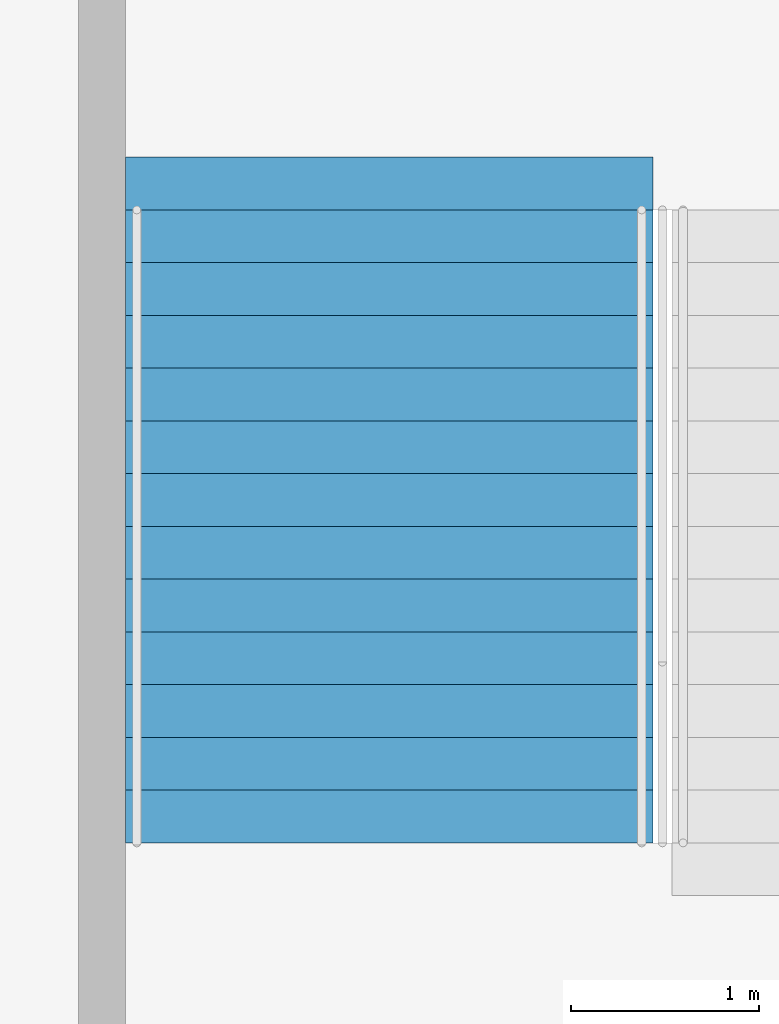
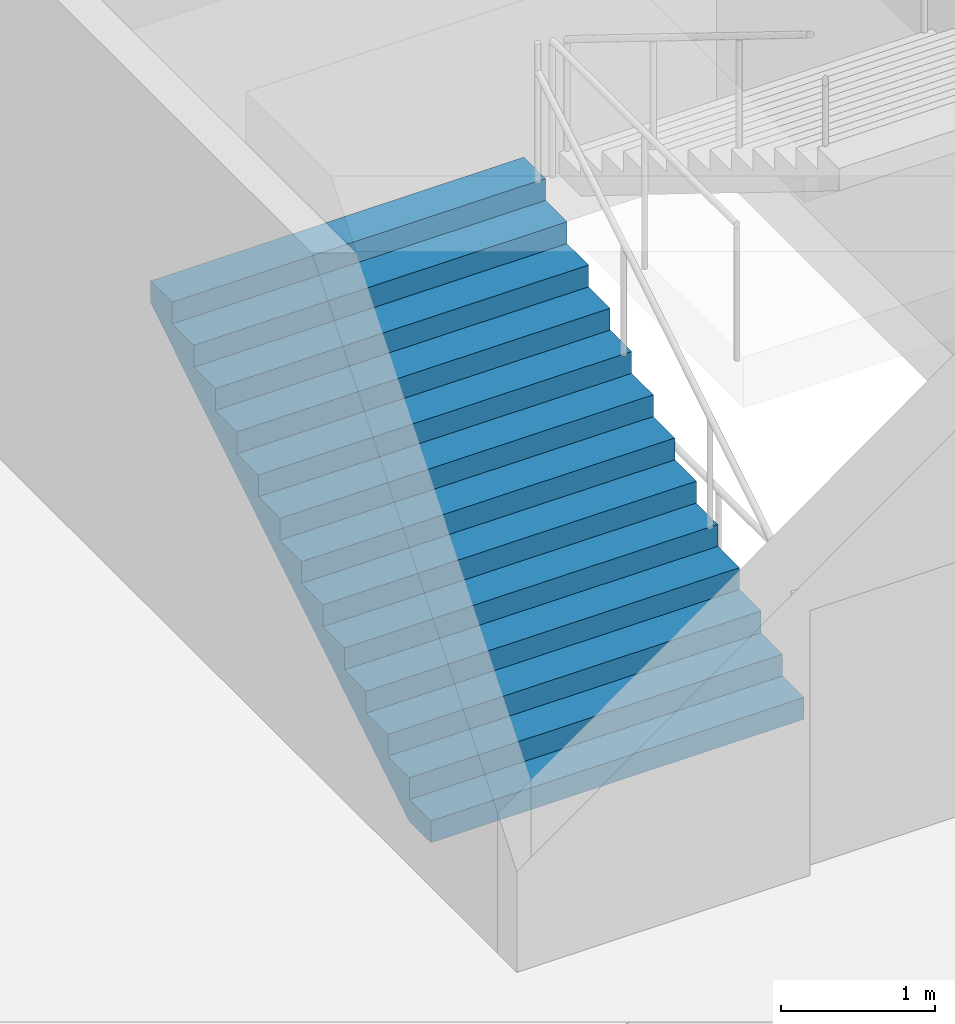
# One storey, part 163 of 199: 1 stair flight, 1 element without a shape of its own.
"""IFC4 building model written with IfcOpenShell, lengths in metres."""

from ifc_helpers import new_model, si_unit, direction, frame, origin, place, context, subcontext, project, spatial, faceted_brep, material, type_object, element, aggregate, save


model = new_model("IFC4")

# Units and contexts
model_context = context("Model", 3, precision=1e-05, world=origin(), true_north=direction((0.0, 1.0)))
body_context = subcontext(model_context, "Body", "Model", "MODEL_VIEW")
ifc_project = project(units=[si_unit("LENGTHUNIT", "METRE"), si_unit("AREAUNIT", "SQUARE_METRE"), si_unit("VOLUMEUNIT", "CUBIC_METRE"), si_unit("PLANEANGLEUNIT", "RADIAN"), si_unit("MASSUNIT", "GRAM", prefix="KILO")], contexts=[model_context])

# Site, building, storey
site_placement = place(None, origin())
site = spatial("IfcSite", under=ifc_project, at=site_placement, CompositionType="ELEMENT")
building_placement = place(site_placement, origin())
building = spatial("IfcBuilding", under=site, at=building_placement, Name="Ogive Plaza Stadium", CompositionType="ELEMENT")
storey_placement = place(building_placement, frame((0.0, 0.0, 9.0)))
storey = spatial("IfcBuildingStorey", under=building, at=storey_placement, Name="L02", CompositionType="ELEMENT", Elevation=9.0)

# Stair, stair flight
ifc_material_1 = material(Name="Concrete C40/50", Category="concrete")
stair_type = type_object("IfcStairType", Name="Exit stair", PredefinedType="STRAIGHT_RUN_STAIR", material=ifc_material_1)
stair_placement = place(storey_placement, origin())
stair = element("IfcStair", 1, at=stair_placement, inside=storey, type_object=stair_type, Name="Exit stair ST34B L02 to L03", PredefinedType="STRAIGHT_RUN_STAIR")
ifc_material_2 = material(Name="Concrete C40/50", Category="concrete")
stair_flight_type = type_object("IfcStairFlightType", Name="Exit stair flight", PredefinedType="STRAIGHT", material=ifc_material_2)
stair_flight_placement = place(storey_placement, frame((-11.22509765625, 94.85009765625, 0.0), z_axis=(0.0, 0.0, 1.0), x_axis=(0.0, 1.0, 0.0)))
stair_flight = element("IfcStairFlight", 2, at=stair_flight_placement, type_object=stair_flight_type, Name="ST34B flight 1", NumberOfRisers=13, NumberOfTreads=12, PredefinedType="STRAIGHT", RiserHeight=0.173076923, TreadLength=0.28, context=body_context, shape_type="Brep", body=[
    faceted_brep([(0.28515625, -1.39990234375, 0.0), (3.639892578125, -1.39990234375, 2.07373046875), (3.639892578125, -1.39990234375, 2.25), (3.360107421875, -1.39990234375, 2.25), (3.360107421875, -1.39990234375, 2.076904296875), (3.080078125, -1.39990234375, 2.076904296875), (3.080078125, -1.39990234375, 1.90380859375), (2.800048828125, -1.39990234375, 1.90380859375), (2.800048828125, -1.39990234375, 1.730712890625), (2.52001953125, -1.39990234375, 1.730712890625), (2.52001953125, -1.39990234375, 1.5576171875), (2.239990234375, -1.39990234375, 1.5576171875), (2.239990234375, -1.39990234375, 1.384521484375), (1.9599609375, -1.39990234375, 1.384521484375), (1.9599609375, -1.39990234375, 1.21142578125), (1.679931640625, -1.39990234375, 1.21142578125), (1.679931640625, -1.39990234375, 1.03857421875), (1.39990234375, -1.39990234375, 1.03857421875), (1.39990234375, -1.39990234375, 0.865478515625), (1.1201171875, -1.39990234375, 0.865478515625), (1.1201171875, -1.39990234375, 0.6923828125), (0.840087890625, -1.39990234375, 0.6923828125), (0.840087890625, -1.39990234375, 0.519287109375), (0.56005859375, -1.39990234375, 0.519287109375), (0.56005859375, -1.39990234375, 0.34619140625), (0.280029296875, -1.39990234375, 0.34619140625), (0.280029296875, -1.39990234375, 0.173095703125), (0.0, -1.39990234375, 0.173095703125), (0.0, -1.39990234375, 0.0), (0.0, 1.39990234375, 0.0), (0.0, 1.39990234375, 0.173095703125), (0.280029296875, 1.39990234375, 0.173095703125), (0.280029296875, 1.39990234375, 0.34619140625), (0.56005859375, 1.39990234375, 0.34619140625), (0.56005859375, 1.39990234375, 0.519287109375), (0.840087890625, 1.39990234375, 0.519287109375), (0.840087890625, 1.39990234375, 0.6923828125), (1.1201171875, 1.39990234375, 0.6923828125), (1.1201171875, 1.39990234375, 0.865478515625), (1.39990234375, 1.39990234375, 0.865478515625), (1.39990234375, 1.39990234375, 1.03857421875), (1.679931640625, 1.39990234375, 1.03857421875), (1.679931640625, 1.39990234375, 1.21142578125), (1.9599609375, 1.39990234375, 1.21142578125), (1.9599609375, 1.39990234375, 1.384521484375), (2.239990234375, 1.39990234375, 1.384521484375), (2.239990234375, 1.39990234375, 1.5576171875), (2.52001953125, 1.39990234375, 1.5576171875), (2.52001953125, 1.39990234375, 1.730712890625), (2.800048828125, 1.39990234375, 1.730712890625), (2.800048828125, 1.39990234375, 1.90380859375), (3.080078125, 1.39990234375, 1.90380859375), (3.080078125, 1.39990234375, 2.076904296875), (3.360107421875, 1.39990234375, 2.076904296875), (3.360107421875, 1.39990234375, 2.25), (3.639892578125, 1.39990234375, 2.25), (3.639892578125, 1.39990234375, 2.07373046875), (0.28515625, 1.39990234375, 0.0), (0.28515625, -1.0888671875, 0.0), (3.639892578125, -1.0888671875, 2.07373046875), (0.28515625, -0.77783203125, 0.0), (3.639892578125, -0.77783203125, 2.07373046875), (0.28515625, -0.466796875, 0.0), (3.639892578125, -0.466796875, 2.07373046875), (0.28515625, -0.155517578125, 0.0), (3.639892578125, -0.155517578125, 2.07373046875), (0.28515625, 0.155517578125, 0.0), (3.639892578125, 0.155517578125, 2.07373046875), (0.28515625, 0.466796875, 0.0), (3.639892578125, 0.466796875, 2.07373046875), (0.28515625, 0.77783203125, 0.0), (3.639892578125, 0.77783203125, 2.07373046875), (0.28515625, 1.0888671875, 0.0), (3.639892578125, 1.0888671875, 2.07373046875), (3.639892578125, -1.0888671875, 2.25), (3.639892578125, -0.77783203125, 2.25), (3.639892578125, -0.466796875, 2.25), (3.639892578125, -0.155517578125, 2.25), (3.639892578125, 0.155517578125, 2.25), (3.639892578125, 0.466796875, 2.25), (3.639892578125, 0.77783203125, 2.25), (3.639892578125, 1.0888671875, 2.25), (3.360107421875, -1.0888671875, 2.25), (3.360107421875, -0.77783203125, 2.25), (3.360107421875, -0.466796875, 2.25), (3.360107421875, -0.155517578125, 2.25), (3.360107421875, 0.155517578125, 2.25), (3.360107421875, 0.466796875, 2.25), (3.360107421875, 0.77783203125, 2.25), (3.360107421875, 1.0888671875, 2.25), (3.360107421875, -1.0888671875, 2.076904296875), (3.360107421875, -0.77783203125, 2.076904296875), (3.360107421875, -0.466796875, 2.076904296875), (3.360107421875, -0.155517578125, 2.076904296875), (3.360107421875, 0.155517578125, 2.076904296875), (3.360107421875, 0.466796875, 2.076904296875), (3.360107421875, 0.77783203125, 2.076904296875), (3.360107421875, 1.0888671875, 2.076904296875), (3.080078125, -1.0888671875, 2.076904296875), (3.080078125, -0.77783203125, 2.076904296875), (3.080078125, -0.466796875, 2.076904296875), (3.080078125, -0.155517578125, 2.076904296875), (3.080078125, 0.155517578125, 2.076904296875), (3.080078125, 0.466796875, 2.076904296875), (3.080078125, 0.77783203125, 2.076904296875), (3.080078125, 1.0888671875, 2.076904296875), (3.080078125, -1.0888671875, 1.90380859375), (3.080078125, -0.77783203125, 1.90380859375), (3.080078125, -0.466796875, 1.90380859375), (3.080078125, -0.155517578125, 1.90380859375), (3.080078125, 0.155517578125, 1.90380859375), (3.080078125, 0.466796875, 1.90380859375), (3.080078125, 0.77783203125, 1.90380859375), (3.080078125, 1.0888671875, 1.90380859375), (2.800048828125, -1.0888671875, 1.90380859375), (2.800048828125, -0.77783203125, 1.90380859375), (2.800048828125, -0.466796875, 1.90380859375), (2.800048828125, -0.155517578125, 1.90380859375), (2.800048828125, 0.155517578125, 1.90380859375), (2.800048828125, 0.466796875, 1.90380859375), (2.800048828125, 0.77783203125, 1.90380859375), (2.800048828125, 1.0888671875, 1.90380859375), (2.800048828125, -1.0888671875, 1.730712890625), (2.800048828125, -0.77783203125, 1.730712890625), (2.800048828125, -0.466796875, 1.730712890625), (2.800048828125, -0.155517578125, 1.730712890625), (2.800048828125, 0.155517578125, 1.730712890625), (2.800048828125, 0.466796875, 1.730712890625), (2.800048828125, 0.77783203125, 1.730712890625), (2.800048828125, 1.0888671875, 1.730712890625), (2.52001953125, -1.0888671875, 1.730712890625), (2.52001953125, -0.77783203125, 1.730712890625), (2.52001953125, -0.466796875, 1.730712890625), (2.52001953125, -0.155517578125, 1.730712890625), (2.52001953125, 0.155517578125, 1.730712890625), (2.52001953125, 0.466796875, 1.730712890625), (2.52001953125, 0.77783203125, 1.730712890625), (2.52001953125, 1.0888671875, 1.730712890625), (2.52001953125, -1.0888671875, 1.5576171875), (2.52001953125, -0.77783203125, 1.5576171875), (2.52001953125, -0.466796875, 1.5576171875), (2.52001953125, -0.155517578125, 1.5576171875), (2.52001953125, 0.155517578125, 1.5576171875), (2.52001953125, 0.466796875, 1.5576171875), (2.52001953125, 0.77783203125, 1.5576171875), (2.52001953125, 1.0888671875, 1.5576171875), (2.239990234375, -1.0888671875, 1.5576171875), (2.239990234375, -0.77783203125, 1.5576171875), (2.239990234375, -0.466796875, 1.5576171875), (2.239990234375, -0.155517578125, 1.5576171875), (2.239990234375, 0.155517578125, 1.5576171875), (2.239990234375, 0.466796875, 1.5576171875), (2.239990234375, 0.77783203125, 1.5576171875), (2.239990234375, 1.0888671875, 1.5576171875), (2.239990234375, -1.0888671875, 1.384521484375), (2.239990234375, -0.77783203125, 1.384521484375), (2.239990234375, -0.466796875, 1.384521484375), (2.239990234375, -0.155517578125, 1.384521484375), (2.239990234375, 0.155517578125, 1.384521484375), (2.239990234375, 0.466796875, 1.384521484375), (2.239990234375, 0.77783203125, 1.384521484375), (2.239990234375, 1.0888671875, 1.384521484375), (1.9599609375, -1.0888671875, 1.384521484375), (1.9599609375, -0.77783203125, 1.384521484375), (1.9599609375, -0.466796875, 1.384521484375), (1.9599609375, -0.155517578125, 1.384521484375), (1.9599609375, 0.155517578125, 1.384521484375), (1.9599609375, 0.466796875, 1.384521484375), (1.9599609375, 0.77783203125, 1.384521484375), (1.9599609375, 1.0888671875, 1.384521484375), (1.9599609375, -1.0888671875, 1.21142578125), (1.9599609375, -0.77783203125, 1.21142578125), (1.9599609375, -0.466796875, 1.21142578125), (1.9599609375, -0.155517578125, 1.21142578125), (1.9599609375, 0.155517578125, 1.21142578125), (1.9599609375, 0.466796875, 1.21142578125), (1.9599609375, 0.77783203125, 1.21142578125), (1.9599609375, 1.0888671875, 1.21142578125), (1.679931640625, -1.0888671875, 1.21142578125), (1.679931640625, -0.77783203125, 1.21142578125), (1.679931640625, -0.466796875, 1.21142578125), (1.679931640625, -0.155517578125, 1.21142578125), (1.679931640625, 0.155517578125, 1.21142578125), (1.679931640625, 0.466796875, 1.21142578125), (1.679931640625, 0.77783203125, 1.21142578125), (1.679931640625, 1.0888671875, 1.21142578125), (1.679931640625, -1.0888671875, 1.03857421875), (1.679931640625, -0.77783203125, 1.03857421875), (1.679931640625, -0.466796875, 1.03857421875), (1.679931640625, -0.155517578125, 1.03857421875), (1.679931640625, 0.155517578125, 1.03857421875), (1.679931640625, 0.466796875, 1.03857421875), (1.679931640625, 0.77783203125, 1.03857421875), (1.679931640625, 1.0888671875, 1.03857421875), (1.39990234375, -1.0888671875, 1.03857421875), (1.39990234375, -0.77783203125, 1.03857421875), (1.39990234375, -0.466796875, 1.03857421875), (1.39990234375, -0.155517578125, 1.03857421875), (1.39990234375, 0.155517578125, 1.03857421875), (1.39990234375, 0.466796875, 1.03857421875), (1.39990234375, 0.77783203125, 1.03857421875), (1.39990234375, 1.0888671875, 1.03857421875), (1.39990234375, -1.0888671875, 0.865478515625), (1.39990234375, -0.77783203125, 0.865478515625), (1.39990234375, -0.466796875, 0.865478515625), (1.39990234375, -0.155517578125, 0.865478515625), (1.39990234375, 0.155517578125, 0.865478515625), (1.39990234375, 0.466796875, 0.865478515625), (1.39990234375, 0.77783203125, 0.865478515625), (1.39990234375, 1.0888671875, 0.865478515625), (1.1201171875, -1.0888671875, 0.865478515625), (1.1201171875, -0.77783203125, 0.865478515625), (1.1201171875, -0.466796875, 0.865478515625), (1.1201171875, -0.155517578125, 0.865478515625), (1.1201171875, 0.155517578125, 0.865478515625), (1.1201171875, 0.466796875, 0.865478515625), (1.1201171875, 0.77783203125, 0.865478515625), (1.1201171875, 1.0888671875, 0.865478515625), (1.1201171875, -1.0888671875, 0.6923828125), (1.1201171875, -0.77783203125, 0.6923828125), (1.1201171875, -0.466796875, 0.6923828125), (1.1201171875, -0.155517578125, 0.6923828125), (1.1201171875, 0.155517578125, 0.6923828125), (1.1201171875, 0.466796875, 0.6923828125), (1.1201171875, 0.77783203125, 0.6923828125), (1.1201171875, 1.0888671875, 0.6923828125), (0.840087890625, -1.0888671875, 0.6923828125), (0.840087890625, -0.77783203125, 0.6923828125), (0.840087890625, -0.466796875, 0.6923828125), (0.840087890625, -0.155517578125, 0.6923828125), (0.840087890625, 0.155517578125, 0.6923828125), (0.840087890625, 0.466796875, 0.6923828125), (0.840087890625, 0.77783203125, 0.6923828125), (0.840087890625, 1.0888671875, 0.6923828125), (0.840087890625, -1.0888671875, 0.519287109375), (0.840087890625, -0.77783203125, 0.519287109375), (0.840087890625, -0.466796875, 0.519287109375), (0.840087890625, -0.155517578125, 0.519287109375), (0.840087890625, 0.155517578125, 0.519287109375), (0.840087890625, 0.466796875, 0.519287109375), (0.840087890625, 0.77783203125, 0.519287109375), (0.840087890625, 1.0888671875, 0.519287109375), (0.56005859375, -1.0888671875, 0.519287109375), (0.56005859375, -0.77783203125, 0.519287109375), (0.56005859375, -0.466796875, 0.519287109375), (0.56005859375, -0.155517578125, 0.519287109375), (0.56005859375, 0.155517578125, 0.519287109375), (0.56005859375, 0.466796875, 0.519287109375), (0.56005859375, 0.77783203125, 0.519287109375), (0.56005859375, 1.0888671875, 0.519287109375), (0.56005859375, -1.0888671875, 0.34619140625), (0.56005859375, -0.77783203125, 0.34619140625), (0.56005859375, -0.466796875, 0.34619140625), (0.56005859375, -0.155517578125, 0.34619140625), (0.56005859375, 0.155517578125, 0.34619140625), (0.56005859375, 0.466796875, 0.34619140625), (0.56005859375, 0.77783203125, 0.34619140625), (0.56005859375, 1.0888671875, 0.34619140625), (0.280029296875, -1.0888671875, 0.34619140625), (0.280029296875, -0.77783203125, 0.34619140625), (0.280029296875, -0.466796875, 0.34619140625), (0.280029296875, -0.155517578125, 0.34619140625), (0.280029296875, 0.155517578125, 0.34619140625), (0.280029296875, 0.466796875, 0.34619140625), (0.280029296875, 0.77783203125, 0.34619140625), (0.280029296875, 1.0888671875, 0.34619140625), (0.280029296875, -1.0888671875, 0.173095703125), (0.280029296875, -0.77783203125, 0.173095703125), (0.280029296875, -0.466796875, 0.173095703125), (0.280029296875, -0.155517578125, 0.173095703125), (0.280029296875, 0.155517578125, 0.173095703125), (0.280029296875, 0.466796875, 0.173095703125), (0.280029296875, 0.77783203125, 0.173095703125), (0.280029296875, 1.0888671875, 0.173095703125), (0.0, -1.0888671875, 0.173095703125), (0.0, -0.77783203125, 0.173095703125), (0.0, -0.466796875, 0.173095703125), (0.0, -0.155517578125, 0.173095703125), (0.0, 0.155517578125, 0.173095703125), (0.0, 0.466796875, 0.173095703125), (0.0, 0.77783203125, 0.173095703125), (0.0, 1.0888671875, 0.173095703125), (0.0, -1.0888671875, 0.0), (0.0, -0.77783203125, 0.0), (0.0, -0.466796875, 0.0), (0.0, -0.155517578125, 0.0), (0.0, 0.155517578125, 0.0), (0.0, 0.466796875, 0.0), (0.0, 0.77783203125, 0.0), (0.0, 1.0888671875, 0.0)], [[[0, 1, 2, 3, 4, 5, 6, 7, 8, 9, 10, 11, 12, 13, 14, 15, 16, 17, 18, 19, 20, 21, 22, 23, 24, 25, 26, 27, 28]], [[29, 30, 31, 32, 33, 34, 35, 36, 37, 38, 39, 40, 41, 42, 43, 44, 45, 46, 47, 48, 49, 50, 51, 52, 53, 54, 55, 56, 57]], [[0, 58, 59, 1]], [[58, 60, 61, 59]], [[60, 62, 63, 61]], [[62, 64, 65, 63]], [[64, 66, 67, 65]], [[66, 68, 69, 67]], [[68, 70, 71, 69]], [[70, 72, 73, 71]], [[72, 57, 56, 73]], [[1, 59, 74, 2]], [[59, 61, 75, 74]], [[61, 63, 76, 75]], [[63, 65, 77, 76]], [[65, 67, 78, 77]], [[67, 69, 79, 78]], [[69, 71, 80, 79]], [[71, 73, 81, 80]], [[73, 56, 55, 81]], [[2, 74, 82, 3]], [[74, 75, 83, 82]], [[75, 76, 84, 83]], [[76, 77, 85, 84]], [[77, 78, 86, 85]], [[78, 79, 87, 86]], [[79, 80, 88, 87]], [[80, 81, 89, 88]], [[81, 55, 54, 89]], [[3, 82, 90, 4]], [[82, 83, 91, 90]], [[83, 84, 92, 91]], [[84, 85, 93, 92]], [[85, 86, 94, 93]], [[86, 87, 95, 94]], [[87, 88, 96, 95]], [[88, 89, 97, 96]], [[89, 54, 53, 97]], [[4, 90, 98, 5]], [[90, 91, 99, 98]], [[91, 92, 100, 99]], [[92, 93, 101, 100]], [[93, 94, 102, 101]], [[94, 95, 103, 102]], [[95, 96, 104, 103]], [[96, 97, 105, 104]], [[97, 53, 52, 105]], [[5, 98, 106, 6]], [[98, 99, 107, 106]], [[99, 100, 108, 107]], [[100, 101, 109, 108]], [[101, 102, 110, 109]], [[102, 103, 111, 110]], [[103, 104, 112, 111]], [[104, 105, 113, 112]], [[105, 52, 51, 113]], [[6, 106, 114, 7]], [[106, 107, 115, 114]], [[107, 108, 116, 115]], [[108, 109, 117, 116]], [[109, 110, 118, 117]], [[110, 111, 119, 118]], [[111, 112, 120, 119]], [[112, 113, 121, 120]], [[113, 51, 50, 121]], [[7, 114, 122, 8]], [[114, 115, 123, 122]], [[115, 116, 124, 123]], [[116, 117, 125, 124]], [[117, 118, 126, 125]], [[118, 119, 127, 126]], [[119, 120, 128, 127]], [[120, 121, 129, 128]], [[121, 50, 49, 129]], [[8, 122, 130, 9]], [[122, 123, 131, 130]], [[123, 124, 132, 131]], [[124, 125, 133, 132]], [[125, 126, 134, 133]], [[126, 127, 135, 134]], [[127, 128, 136, 135]], [[128, 129, 137, 136]], [[129, 49, 48, 137]], [[9, 130, 138, 10]], [[130, 131, 139, 138]], [[131, 132, 140, 139]], [[132, 133, 141, 140]], [[133, 134, 142, 141]], [[134, 135, 143, 142]], [[135, 136, 144, 143]], [[136, 137, 145, 144]], [[137, 48, 47, 145]], [[10, 138, 146, 11]], [[138, 139, 147, 146]], [[139, 140, 148, 147]], [[140, 141, 149, 148]], [[141, 142, 150, 149]], [[142, 143, 151, 150]], [[143, 144, 152, 151]], [[144, 145, 153, 152]], [[145, 47, 46, 153]], [[11, 146, 154, 12]], [[146, 147, 155, 154]], [[147, 148, 156, 155]], [[148, 149, 157, 156]], [[149, 150, 158, 157]], [[150, 151, 159, 158]], [[151, 152, 160, 159]], [[152, 153, 161, 160]], [[153, 46, 45, 161]], [[12, 154, 162, 13]], [[154, 155, 163, 162]], [[155, 156, 164, 163]], [[156, 157, 165, 164]], [[157, 158, 166, 165]], [[158, 159, 167, 166]], [[159, 160, 168, 167]], [[160, 161, 169, 168]], [[161, 45, 44, 169]], [[13, 162, 170, 14]], [[162, 163, 171, 170]], [[163, 164, 172, 171]], [[164, 165, 173, 172]], [[165, 166, 174, 173]], [[166, 167, 175, 174]], [[167, 168, 176, 175]], [[168, 169, 177, 176]], [[169, 44, 43, 177]], [[14, 170, 178, 15]], [[170, 171, 179, 178]], [[171, 172, 180, 179]], [[172, 173, 181, 180]], [[173, 174, 182, 181]], [[174, 175, 183, 182]], [[175, 176, 184, 183]], [[176, 177, 185, 184]], [[177, 43, 42, 185]], [[15, 178, 186, 16]], [[178, 179, 187, 186]], [[179, 180, 188, 187]], [[180, 181, 189, 188]], [[181, 182, 190, 189]], [[182, 183, 191, 190]], [[183, 184, 192, 191]], [[184, 185, 193, 192]], [[185, 42, 41, 193]], [[16, 186, 194, 17]], [[186, 187, 195, 194]], [[187, 188, 196, 195]], [[188, 189, 197, 196]], [[189, 190, 198, 197]], [[190, 191, 199, 198]], [[191, 192, 200, 199]], [[192, 193, 201, 200]], [[193, 41, 40, 201]], [[17, 194, 202, 18]], [[194, 195, 203, 202]], [[195, 196, 204, 203]], [[196, 197, 205, 204]], [[197, 198, 206, 205]], [[198, 199, 207, 206]], [[199, 200, 208, 207]], [[200, 201, 209, 208]], [[201, 40, 39, 209]], [[18, 202, 210, 19]], [[202, 203, 211, 210]], [[203, 204, 212, 211]], [[204, 205, 213, 212]], [[205, 206, 214, 213]], [[206, 207, 215, 214]], [[207, 208, 216, 215]], [[208, 209, 217, 216]], [[209, 39, 38, 217]], [[19, 210, 218, 20]], [[210, 211, 219, 218]], [[211, 212, 220, 219]], [[212, 213, 221, 220]], [[213, 214, 222, 221]], [[214, 215, 223, 222]], [[215, 216, 224, 223]], [[216, 217, 225, 224]], [[217, 38, 37, 225]], [[20, 218, 226, 21]], [[218, 219, 227, 226]], [[219, 220, 228, 227]], [[220, 221, 229, 228]], [[221, 222, 230, 229]], [[222, 223, 231, 230]], [[223, 224, 232, 231]], [[224, 225, 233, 232]], [[225, 37, 36, 233]], [[21, 226, 234, 22]], [[226, 227, 235, 234]], [[227, 228, 236, 235]], [[228, 229, 237, 236]], [[229, 230, 238, 237]], [[230, 231, 239, 238]], [[231, 232, 240, 239]], [[232, 233, 241, 240]], [[233, 36, 35, 241]], [[22, 234, 242, 23]], [[234, 235, 243, 242]], [[235, 236, 244, 243]], [[236, 237, 245, 244]], [[237, 238, 246, 245]], [[238, 239, 247, 246]], [[239, 240, 248, 247]], [[240, 241, 249, 248]], [[241, 35, 34, 249]], [[23, 242, 250, 24]], [[242, 243, 251, 250]], [[243, 244, 252, 251]], [[244, 245, 253, 252]], [[245, 246, 254, 253]], [[246, 247, 255, 254]], [[247, 248, 256, 255]], [[248, 249, 257, 256]], [[249, 34, 33, 257]], [[24, 250, 258, 25]], [[250, 251, 259, 258]], [[251, 252, 260, 259]], [[252, 253, 261, 260]], [[253, 254, 262, 261]], [[254, 255, 263, 262]], [[255, 256, 264, 263]], [[256, 257, 265, 264]], [[257, 33, 32, 265]], [[25, 258, 266, 26]], [[258, 259, 267, 266]], [[259, 260, 268, 267]], [[260, 261, 269, 268]], [[261, 262, 270, 269]], [[262, 263, 271, 270]], [[263, 264, 272, 271]], [[264, 265, 273, 272]], [[265, 32, 31, 273]], [[26, 266, 274, 27]], [[266, 267, 275, 274]], [[267, 268, 276, 275]], [[268, 269, 277, 276]], [[269, 270, 278, 277]], [[270, 271, 279, 278]], [[271, 272, 280, 279]], [[272, 273, 281, 280]], [[273, 31, 30, 281]], [[27, 274, 282, 28]], [[274, 275, 283, 282]], [[275, 276, 284, 283]], [[276, 277, 285, 284]], [[277, 278, 286, 285]], [[278, 279, 287, 286]], [[279, 280, 288, 287]], [[280, 281, 289, 288]], [[281, 30, 29, 289]], [[28, 282, 58, 0]], [[282, 283, 60, 58]], [[283, 284, 62, 60]], [[284, 285, 64, 62]], [[285, 286, 66, 64]], [[286, 287, 68, 66]], [[287, 288, 70, 68]], [[288, 289, 72, 70]], [[289, 29, 57, 72]]]),
])
aggregate(stair, [stair_flight])

save(model, "model.ifc")
